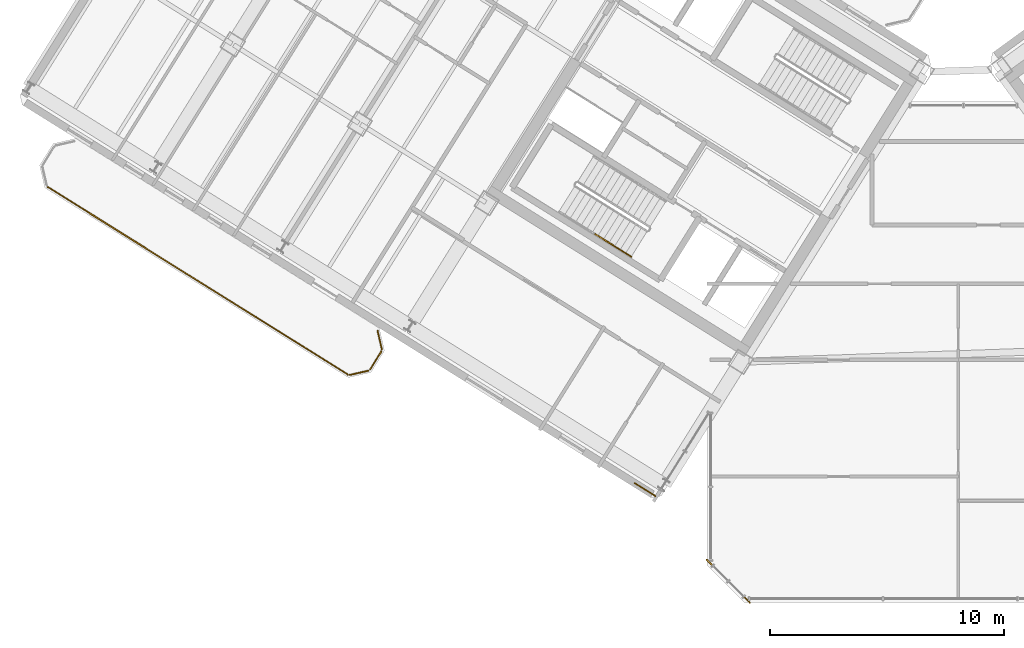
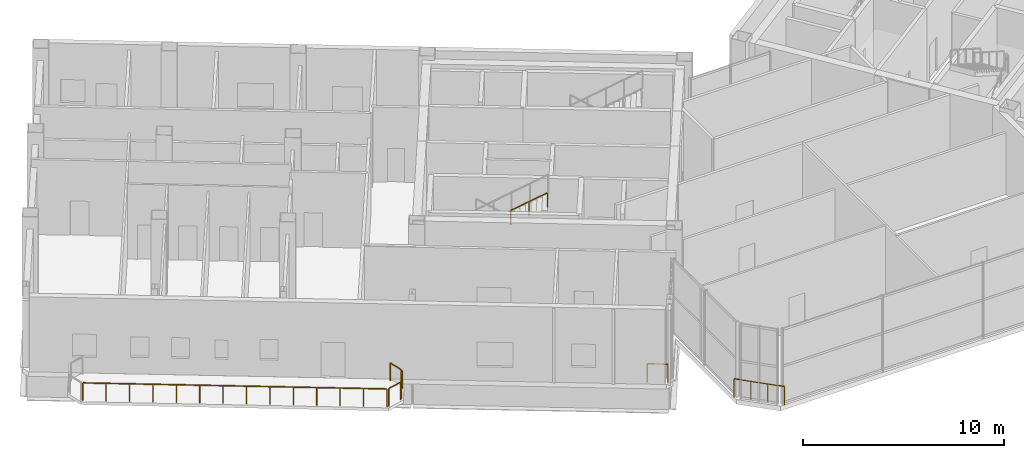
# One storey, part 22 of 26: 7 railings.
"""IFC4 building model written with IfcOpenShell, lengths in metres."""

import ifcopenshell
import ifcopenshell.guid

model = None  # the IFC model being written
_history = None  # IfcOwnerHistory: only IFC2X3 demands one
_inside = {}  # id of a spatial element -> (the spatial element, [elements in it])
_under = {}  # id of a project, library or spatial element -> (it, [spatial elements below it])
_declared = {}  # id of a project -> (the project, [libraries it declares])
_typed = {}  # id of a type object -> (the type object, [elements of that type])
_made_of = {}  # id of a material, layer set ... -> (it, [elements and type objects made of it])


def new_model(schema):
    """Start an empty IFC model of exactly this schema.

    Asked for "IFC4X3", IfcOpenShell would pick the latest addendum, in which some entities
    have other attributes; the version numbers below select the first issue.
    IFC2X3 requires an IfcOwnerHistory on every rooted entity: one is made here for all.
    """
    global model, _history
    if schema == "IFC4X3":
        model = ifcopenshell.file(schema_version=(4, 3, 0, 0))
    else:
        model = ifcopenshell.file(schema=schema)
    _inside.clear()
    _under.clear()
    _declared.clear()
    _typed.clear()
    _made_of.clear()
    _history = None
    if model.schema == "IFC2X3":
        org = make("IfcOrganization", Name="unknown")
        user = make(
            "IfcPersonAndOrganization",
            ThePerson=make("IfcPerson", FamilyName="unknown"),
            TheOrganization=org,
        )
        app = make(
            "IfcApplication",
            ApplicationDeveloper=org,
            Version="unknown",
            ApplicationFullName="unknown",
            ApplicationIdentifier="unknown",
        )
        _history = make(
            "IfcOwnerHistory",
            OwningUser=user,
            OwningApplication=app,
            ChangeAction="ADDED",
            CreationDate=0,
        )
    return model


def make(cls, **values):
    """One entity of the class cls with the attributes given. An attribute that is None is left unset."""
    return model.create_entity(
        cls, **{name: value for name, value in values.items() if value is not None}
    )


def rooted(cls, **values):
    """An entity with a GlobalId (a new one), such as an element, a storey or a relation."""
    return make(cls, GlobalId=ifcopenshell.guid.new(), OwnerHistory=_history, **values)


def si_unit(unit_type, name, prefix=None):
    """IfcSIUnit, for example si_unit("LENGTHUNIT", "METRE", prefix="MILLI")."""
    return make("IfcSIUnit", UnitType=unit_type, Prefix=prefix, Name=name)


def assignment(units):
    """IfcUnitAssignment: the units of a project."""
    return None if units is None else make("IfcUnitAssignment", Units=units)


def point(xyz):
    """IfcCartesianPoint."""
    return None if xyz is None else make("IfcCartesianPoint", Coordinates=xyz)


def direction(xyz):
    """IfcDirection."""
    return None if xyz is None else make("IfcDirection", DirectionRatios=xyz)


def frame(location, z_axis=None, x_axis=None):
    """IfcAxis2Placement3D, a coordinate frame: its origin and axes. An axis left out is left unset."""
    return make(
        "IfcAxis2Placement3D",
        Location=point(location),
        Axis=direction(z_axis),
        RefDirection=direction(x_axis),
    )


def frame_2d(location, x_axis=None):
    """IfcAxis2Placement2D, a coordinate frame in the plane: its origin and x axis."""
    return make(
        "IfcAxis2Placement2D", Location=point(location), RefDirection=direction(x_axis)
    )


def origin():
    """The frame at (0, 0, 0) with its axes left unset."""
    return frame((0.0, 0.0, 0.0))


def origin_2d():
    """The frame at (0, 0) in the plane with its x axis left unset."""
    return frame_2d((0.0, 0.0))


def place(relative_to, where):
    """IfcLocalPlacement: puts the frame where relative to a parent placement (None: the world)."""
    return make(
        "IfcLocalPlacement", PlacementRelTo=relative_to, RelativePlacement=where
    )


def context(
    kind, dimensions, precision=None, world=None, true_north=None, identifier=None
):
    """IfcGeometricRepresentationContext, for example the 3D "Model" context."""
    return make(
        "IfcGeometricRepresentationContext",
        ContextIdentifier=identifier,
        ContextType=kind,
        CoordinateSpaceDimension=dimensions,
        Precision=precision,
        WorldCoordinateSystem=world,
        TrueNorth=true_north,
    )


def subcontext(parent, identifier, kind, view, scale=None):
    """IfcGeometricRepresentationSubContext, for example "Body" below "Model"."""
    return make(
        "IfcGeometricRepresentationSubContext",
        ContextIdentifier=identifier,
        ContextType=kind,
        ParentContext=parent,
        TargetScale=scale,
        TargetView=view,
    )


def project(units=None, contexts=None):
    """IfcProject with its units and contexts."""
    return rooted(
        "IfcProject",
        Name="project",
        RepresentationContexts=contexts,
        UnitsInContext=assignment(units),
    )


def spatial(cls, under=None, at=None, **own):
    """A site, building, storey or space (cls), placed at a placement, below another one or the project."""
    s = rooted(cls, ObjectPlacement=at, **own)
    if under is not None:
        _under.setdefault(under.id(), (under, []))[1].append(s)
    return s


def profile(cls, at=None, kind="AREA", **sizes):
    """A parametric profile (cls). Its sizes go by their IFC names, for example OverallWidth=200.0."""
    return make(cls, ProfileType=kind, Position=at, **sizes)


def rectangle(**sizes):
    """IfcRectangleProfileDef."""
    return profile("IfcRectangleProfileDef", **sizes)


def extrude(swept, where, along, depth):
    """IfcExtrudedAreaSolid: the profile swept, set in the frame where, extruded along a direction by depth."""
    return make(
        "IfcExtrudedAreaSolid",
        SweptArea=swept,
        Position=where,
        ExtrudedDirection=direction(along),
        Depth=depth,
    )


def shape(context_of_items, identifier, shape_type, items):
    """IfcShapeRepresentation: the items that make up one representation, for example the "Body"."""
    return make(
        "IfcShapeRepresentation",
        ContextOfItems=context_of_items,
        RepresentationIdentifier=identifier,
        RepresentationType=shape_type,
        Items=items,
    )


def source(mapping_origin, context_of_items, identifier, shape_type, items):
    """IfcRepresentationMap: a shape defined once, which mapped items show again and again."""
    return make(
        "IfcRepresentationMap",
        MappingOrigin=mapping_origin,
        MappedRepresentation=shape(context_of_items, identifier, shape_type, items),
    )


def transform(
    local_origin,
    x_axis=None,
    y_axis=None,
    z_axis=None,
    scale=None,
    scale2=None,
    scale3=None,
    uniform=True,
):
    """IfcCartesianTransformationOperator3D, or its non-uniform kind. x_axis, y_axis, z_axis: its Axis1, 2, 3."""
    if uniform:
        return make(
            "IfcCartesianTransformationOperator3D",
            Axis1=direction(x_axis),
            Axis2=direction(y_axis),
            LocalOrigin=point(local_origin),
            Scale=scale,
            Axis3=direction(z_axis),
        )
    return make(
        "IfcCartesianTransformationOperator3DnonUniform",
        Axis1=direction(x_axis),
        Axis2=direction(y_axis),
        LocalOrigin=point(local_origin),
        Scale=scale,
        Axis3=direction(z_axis),
        Scale2=scale2,
        Scale3=scale3,
    )


def mapped(mapping_source, mapping_target):
    """IfcMappedItem: shows the shape of a source again, moved by a transform."""
    return make(
        "IfcMappedItem", MappingSource=mapping_source, MappingTarget=mapping_target
    )


def material(Name=None, Category=None):
    """IfcMaterial."""
    return make("IfcMaterial", Name=Name, Category=Category)


def made_of(thing, what):
    """Note that an element or type object is made of a material, layer set ...; save() writes the relation."""
    if what is not None:
        _made_of.setdefault(what.id(), (what, []))[1].append(thing)
    return thing


def type_object(cls, material=None, **own):
    """A type object (cls), such as IfcWallType, which elements share."""
    return made_of(rooted(cls, **own), material)


def element(
    cls,
    number,
    at=None,
    inside=None,
    cuts=None,
    type_object=None,
    material=None,
    context=None,
    identifier="Body",
    shape_type=None,
    held_by="IfcProductDefinitionShape",
    body=None,
    shapes=None,
    **own,
):
    """One element of the class cls, such as IfcWall. Its Tag is "e" and its number.

    at: its placement. inside: the storey or other place that contains it. cuts: it is an
    opening in that element (IfcRelVoidsElement). A single representation is given by context,
    identifier, shape_type and body (its items); several are given by shapes. held_by: the class
    of the entity that holds the representations. save() writes the other relations.
    """
    e = rooted(cls, Tag="e%d" % number, ObjectPlacement=at, **own)
    if body is not None:
        shapes = [shape(context, identifier, shape_type, body)]
    if shapes is not None:
        e.Representation = make(held_by, Representations=shapes)
    if inside is not None:
        _inside.setdefault(inside.id(), (inside, []))[1].append(e)
    if cuts is not None:
        rooted(
            "IfcRelVoidsElement", RelatingBuildingElement=cuts, RelatedOpeningElement=e
        )
    if type_object is not None:
        _typed.setdefault(type_object.id(), (type_object, []))[1].append(e)
    return made_of(e, material)


def aggregate(whole, parts):
    """IfcRelAggregates: a whole, such as a stair, and the parts it consists of."""
    return rooted("IfcRelAggregates", RelatingObject=whole, RelatedObjects=parts)


def save(model, path):
    """Write the relations noted so far, then the file.

    IfcRelAggregates (storeys below a building ...), IfcRelContainedInSpatialStructure (elements
    in a storey), IfcRelDefinesByType, IfcRelAssociatesMaterial and IfcRelDeclares: one each for
    every whole, place, type object, material and project.
    """
    for whole, parts in _under.values():
        aggregate(whole, parts)
    for where, things in _inside.values():
        rooted(
            "IfcRelContainedInSpatialStructure",
            RelatedElements=things,
            RelatingStructure=where,
        )
    for kind, things in _typed.values():
        rooted("IfcRelDefinesByType", RelatedObjects=things, RelatingType=kind)
    for what, things in _made_of.values():
        rooted("IfcRelAssociatesMaterial", RelatedObjects=things, RelatingMaterial=what)
    for by, libraries in _declared.values():
        rooted("IfcRelDeclares", RelatingContext=by, RelatedDefinitions=libraries)
    model.write(path)


model = new_model("IFC4")

# Units and contexts
model_context = context("Model", 3, precision=1e-05, world=origin(), true_north=direction((0.0, 1.0)))
body_context = subcontext(model_context, "Body", "Model", "MODEL_VIEW")
ifc_project = project(units=[si_unit("LENGTHUNIT", "METRE"), si_unit("AREAUNIT", "SQUARE_METRE"), si_unit("VOLUMEUNIT", "CUBIC_METRE"), si_unit("PLANEANGLEUNIT", "RADIAN"), si_unit("MASSUNIT", "GRAM", prefix="KILO")], contexts=[model_context])

# Site, building, storey
site_placement = place(None, origin())
site = spatial("IfcSite", under=ifc_project, at=site_placement, CompositionType="ELEMENT")
building_placement = place(site_placement, origin())
building = spatial("IfcBuilding", under=site, at=building_placement, Name="Tlacorven Tower", CompositionType="ELEMENT")
storey_placement = place(building_placement, frame((0.0, 0.0, 233.699951171875)))
storey = spatial("IfcBuildingStorey", under=building, at=storey_placement, Name="L59", CompositionType="ELEMENT", Elevation=233.699951171875)

# Railings
ifc_material = material(Name="Aluminium and painted steel balustrade", Category="steel")
railing_type_1 = type_object("IfcRailingType", Name="RL-BAL-1100", PredefinedType="BALUSTRADE", material=ifc_material)
shared_shape_1 = source(origin(), body_context, "Body", "SweptSolid", [
    extrude(rectangle(XDim=0.048095703125, YDim=0.048095703125, at=origin_2d()), frame((0.0, 0.0, 1.076171875), z_axis=(0.225058334816, -0.974345290916, 0.0), x_axis=(0.974345290916, 0.225058334816, 0.0)), (0.0, 0.0, 1.0), 0.80712890625),
    extrude(rectangle(XDim=0.0419921875, YDim=0.0419921875, at=origin_2d()), origin(), (0.0, 0.0, 1.0), 1.052001953125),
    extrude(rectangle(XDim=0.0419921875, YDim=0.0419921875, at=origin_2d()), frame((0.181640625, -0.786376953125, 0.0)), (0.0, 0.0, 1.0), 1.052001953125),
])
railing_1_placement = place(storey_placement, frame((17.5244140625, 13.413330078125, 0.0)))
element("IfcRailing", 1, at=railing_1_placement, inside=storey, type_object=railing_type_1, Name="BAL-L59-W-OUT Guard Railing 1", PredefinedType="BALUSTRADE", context=body_context, shape_type="MappedRepresentation", body=[
    mapped(shared_shape_1, transform((0.0, 0.0, 0.0), scale=1.0)),
])
shared_shape_2 = source(origin(), body_context, "Body", "SweptSolid", [
    extrude(rectangle(XDim=0.048095703125, YDim=0.048095703125, at=origin_2d()), frame((0.0, 0.0, 1.076171875), z_axis=(-0.52987865805, -0.848073468364, 0.0), x_axis=(0.848073468364, -0.52987865805, 0.0)), (0.0, 0.0, 1.0), 0.912353515625),
    extrude(rectangle(XDim=0.0419921875, YDim=0.0419921875, at=origin_2d()), origin(), (0.0, 0.0, 1.0), 1.052001953125),
    extrude(rectangle(XDim=0.0419921875, YDim=0.0419921875, at=origin_2d()), frame((-0.4833984375, -0.773681640625, 0.0)), (0.0, 0.0, 1.0), 1.052001953125),
])
railing_2_placement = place(storey_placement, frame((17.690673828125, 12.535888671875, 0.0)))
element("IfcRailing", 2, at=railing_2_placement, inside=storey, type_object=railing_type_1, Name="BAL-L59-W-OUT Guard Railing 2", PredefinedType="BALUSTRADE", context=body_context, shape_type="MappedRepresentation", body=[
    mapped(shared_shape_2, transform((0.0, 0.0, 0.0), scale=1.0)),
])
shared_shape_3 = source(origin(), body_context, "Body", "SweptSolid", [
    extrude(rectangle(XDim=0.048095703125, YDim=0.048095703125, at=origin_2d()), frame((0.0, 0.0, 1.076171875), z_axis=(-0.974411586182, -0.224771129628, 0.0), x_axis=(0.224771129628, -0.974411586182, 0.0)), (0.0, 0.0, 1.0), 0.80712890625),
    extrude(rectangle(XDim=0.0419921875, YDim=0.0419921875, at=origin_2d()), origin(), (0.0, 0.0, 1.0), 1.052001953125),
    extrude(rectangle(XDim=0.0419921875, YDim=0.0419921875, at=origin_2d()), frame((-0.786376953125, -0.181396484375, 0.0)), (0.0, 0.0, 1.0), 1.052001953125),
])
railing_3_placement = place(storey_placement, frame((17.132080078125, 11.70849609375, 0.0)))
element("IfcRailing", 3, at=railing_3_placement, inside=storey, type_object=railing_type_1, Name="BAL-L59-W-OUT Guard Railing 3", PredefinedType="BALUSTRADE", context=body_context, shape_type="MappedRepresentation", body=[
    mapped(shared_shape_3, transform((0.0, 0.0, 0.0), scale=1.0)),
])
shared_shape_4 = source(origin(), body_context, "Body", "SweptSolid", [
    extrude(rectangle(XDim=0.048095703125, YDim=0.048095703125, at=origin_2d()), frame((0.0, 0.0, 1.076171875), z_axis=(-0.848044572804, 0.529924902733, 0.0), x_axis=(-0.529924902733, -0.848044572804, 0.0)), (0.0, 0.0, 1.0), 15.1171875),
    extrude(rectangle(XDim=0.0419921875, YDim=0.0419921875, at=origin_2d()), origin(), (0.0, 0.0, 1.0), 1.052001953125),
    extrude(rectangle(XDim=0.0419921875, YDim=0.0419921875, at=origin_2d()), frame((-0.986083984375, 0.6162109375, 0.0)), (0.0, 0.0, 1.0), 1.052001953125),
    extrude(rectangle(XDim=0.0419921875, YDim=0.0419921875, at=origin_2d()), frame((-1.972412109375, 1.232421875, 0.0)), (0.0, 0.0, 1.0), 1.052001953125),
    extrude(rectangle(XDim=0.0419921875, YDim=0.0419921875, at=origin_2d()), frame((-2.95849609375, 1.8486328125, 0.0)), (0.0, 0.0, 1.0), 1.052001953125),
    extrude(rectangle(XDim=0.0419921875, YDim=0.0419921875, at=origin_2d()), frame((-3.944580078125, 2.46484375, 0.0)), (0.0, 0.0, 1.0), 1.052001953125),
    extrude(rectangle(XDim=0.0419921875, YDim=0.0419921875, at=origin_2d()), frame((-4.930908203125, 3.0810546875, 0.0)), (0.0, 0.0, 1.0), 1.052001953125),
    extrude(rectangle(XDim=0.0419921875, YDim=0.0419921875, at=origin_2d()), frame((-5.9169921875, 3.697265625, 0.0)), (0.0, 0.0, 1.0), 1.052001953125),
    extrude(rectangle(XDim=0.0419921875, YDim=0.0419921875, at=origin_2d()), frame((-6.903076171875, 4.313720703125, 0.0)), (0.0, 0.0, 1.0), 1.052001953125),
    extrude(rectangle(XDim=0.0419921875, YDim=0.0419921875, at=origin_2d()), frame((-7.88916015625, 4.929931640625, 0.0)), (0.0, 0.0, 1.0), 1.052001953125),
    extrude(rectangle(XDim=0.0419921875, YDim=0.0419921875, at=origin_2d()), frame((-8.87548828125, 5.546142578125, 0.0)), (0.0, 0.0, 1.0), 1.052001953125),
    extrude(rectangle(XDim=0.0419921875, YDim=0.0419921875, at=origin_2d()), frame((-9.861572265625, 6.162353515625, 0.0)), (0.0, 0.0, 1.0), 1.052001953125),
    extrude(rectangle(XDim=0.0419921875, YDim=0.0419921875, at=origin_2d()), frame((-10.84765625, 6.778564453125, 0.0)), (0.0, 0.0, 1.0), 1.052001953125),
    extrude(rectangle(XDim=0.0419921875, YDim=0.0419921875, at=origin_2d()), frame((-11.833984375, 7.394775390625, 0.0)), (0.0, 0.0, 1.0), 1.052001953125),
    extrude(rectangle(XDim=0.0419921875, YDim=0.0419921875, at=origin_2d()), frame((-12.820068359375, 8.010986328125, 0.0)), (0.0, 0.0, 1.0), 1.052001953125),
])
railing_4_placement = place(storey_placement, frame((16.254638671875, 11.542236328125, 0.0)))
element("IfcRailing", 4, at=railing_4_placement, inside=storey, type_object=railing_type_1, Name="BAL-L59-W-OUT Guard Railing 4", PredefinedType="BALUSTRADE", context=body_context, shape_type="MappedRepresentation", body=[
    mapped(shared_shape_4, transform((0.0, 0.0, 0.0), scale=1.0)),
])
railing_type_2 = type_object("IfcRailingType", Name="RL-GRD-1150", PredefinedType="GUARDRAIL", material=ifc_material)
shared_shape_5 = source(origin(), body_context, "Body", "SweptSolid", [
    extrude(rectangle(XDim=0.048095703125, YDim=0.048095703125, at=origin_2d()), frame((0.0, 0.0, 1.1259765625), z_axis=(-0.707106781187, 0.707106781187, 0.0), x_axis=(-0.707106781187, -0.707106781187, 0.0)), (0.0, 0.0, 1.0), 2.590087890625),
    extrude(rectangle(XDim=0.0419921875, YDim=0.0419921875, at=origin_2d()), origin(), (0.0, 0.0, 1.0), 1.101806640625),
    extrude(rectangle(XDim=0.0419921875, YDim=0.0419921875, at=origin_2d()), frame((-0.610595703125, 0.610595703125, 0.0)), (0.0, 0.0, 1.0), 1.101806640625),
    extrude(rectangle(XDim=0.0419921875, YDim=0.0419921875, at=origin_2d()), frame((-1.220947265625, 1.220947265625, 0.0)), (0.0, 0.0, 1.0), 1.101806640625),
    extrude(rectangle(XDim=0.0419921875, YDim=0.0419921875, at=origin_2d()), frame((-1.83154296875, 1.83154296875, 0.0)), (0.0, 0.0, 1.0), 1.101806640625),
])
railing_5_placement = place(storey_placement, frame((33.428955078125, 1.79736328125, 0.0)))
element("IfcRailing", 5, at=railing_5_placement, inside=storey, type_object=railing_type_2, Name="L59 Knuckle Glazed Sill Guard 1", PredefinedType="GUARDRAIL", context=body_context, shape_type="MappedRepresentation", body=[
    mapped(shared_shape_5, transform((0.0, 0.0, 0.0), scale=1.0)),
])
shared_shape_6 = source(origin(), body_context, "Body", "SweptSolid", [
    extrude(rectangle(XDim=0.048095703125, YDim=0.048095703125, at=origin_2d()), frame((0.0, 0.0, 1.1259765625), z_axis=(-0.848102774857, 0.529831749973, 0.0), x_axis=(-0.529831749973, -0.848102774857, 0.0)), (0.0, 0.0, 1.0), 1.050048828125),
    extrude(rectangle(XDim=0.0419921875, YDim=0.0419921875, at=origin_2d()), origin(), (0.0, 0.0, 1.0), 1.101806640625),
    extrude(rectangle(XDim=0.0419921875, YDim=0.0419921875, at=origin_2d()), frame((-0.890625, 0.556396484375, 0.0)), (0.0, 0.0, 1.0), 1.101806640625),
])
railing_6_placement = place(storey_placement, frame((29.39501953125, 6.35009765625, 0.0)))
element("IfcRailing", 6, at=railing_6_placement, inside=storey, type_object=railing_type_2, Name="L59 Knuckle Glazed Sill Guard 2", PredefinedType="GUARDRAIL", context=body_context, shape_type="MappedRepresentation", body=[
    mapped(shared_shape_6, transform((0.0, 0.0, 0.0), scale=1.0)),
])
railing_type_3 = type_object("IfcRailingType", Name="RL-HND-0900", PredefinedType="HANDRAIL", material=ifc_material)
shared_shape_7 = source(origin(), body_context, "Body", "SweptSolid", [
    extrude(rectangle(XDim=0.048095703125, YDim=0.048095703125, at=origin_2d()), frame((0.0, 0.0, 0.8759765625), z_axis=(0.723280932889, -0.45190757433, 0.522153460567), x_axis=(0.529878353595, 0.848073658589, 0.0)), (0.0, 0.0, 1.0), 2.134033203125),
    extrude(rectangle(XDim=0.0419921875, YDim=0.0419921875, at=origin_2d()), origin(), (0.0, 0.0, 1.0), 0.851806640625),
    extrude(rectangle(XDim=0.0419921875, YDim=0.0419921875, at=origin_2d()), frame((0.771728515625, -0.482177734375, 0.55712890625)), (0.0, 0.0, 1.0), 0.851806640625),
    extrude(rectangle(XDim=0.0419921875, YDim=0.0419921875, at=origin_2d()), frame((1.54345703125, -0.96435546875, 1.1142578125)), (0.0, 0.0, 1.0), 0.851806640625),
])
railing_7_placement = place(storey_placement, frame((26.822265625, 17.544189453125, 3.685791015625)))
element("IfcRailing", 7, at=railing_7_placement, inside=storey, type_object=railing_type_3, Name="L59 ST-W1 stair handrail 4", PredefinedType="HANDRAIL", context=body_context, shape_type="MappedRepresentation", body=[
    mapped(shared_shape_7, transform((0.0, 0.0, 0.0), scale=1.0)),
])

save(model, "model.ifc")
